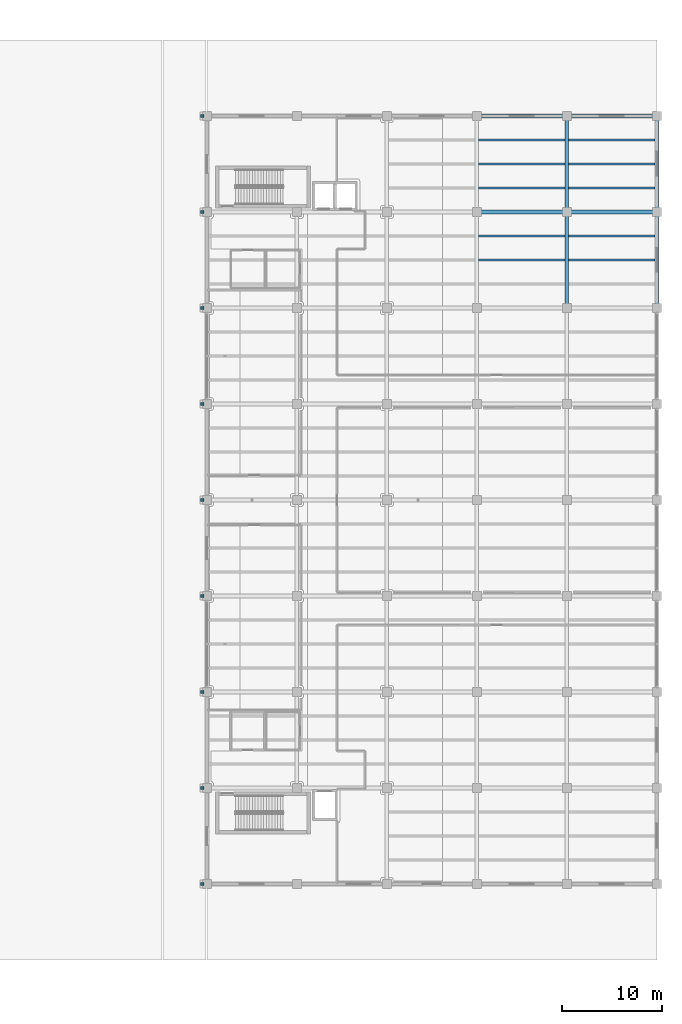
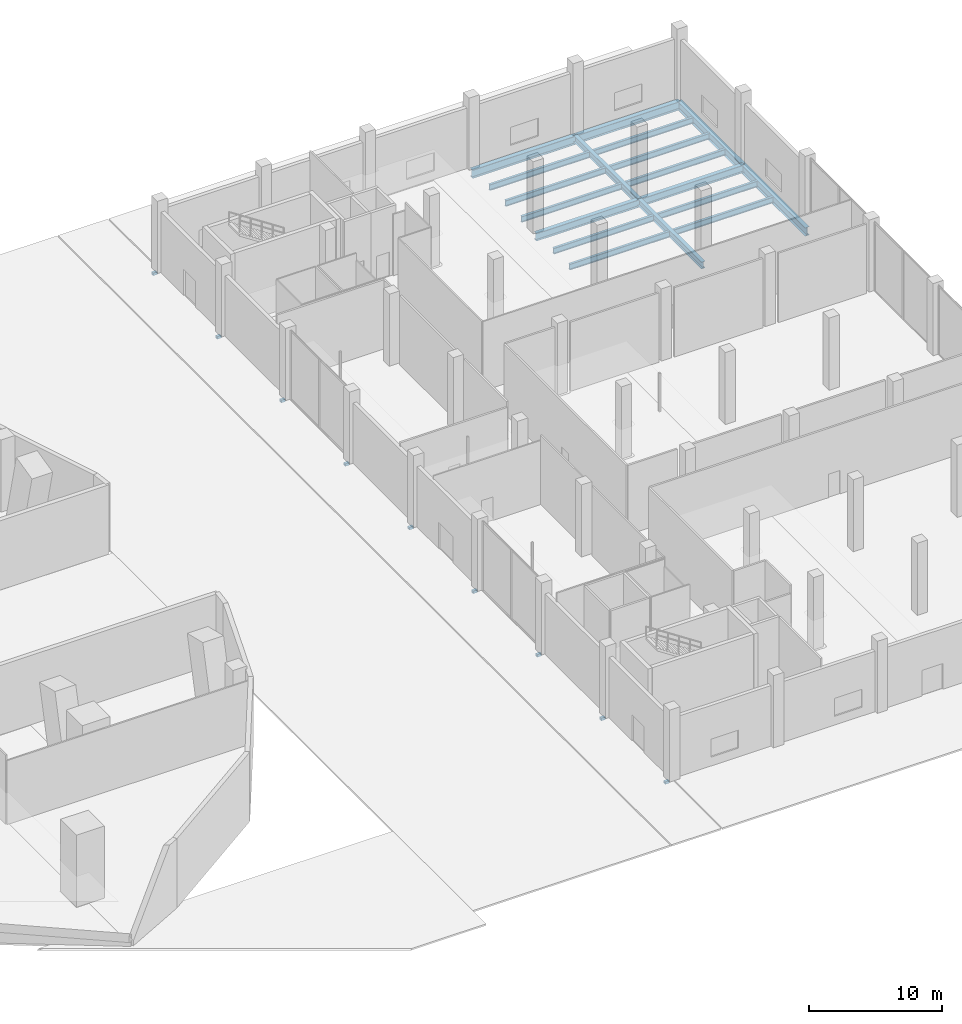
# One storey, part 22 of 45: 18 beams, 9 members.
"""IFC4 building model written with IfcOpenShell, lengths in metres."""

from ifc_helpers import new_model, si_unit, direction, frame, origin, origin_2d, place, context, subcontext, project, spatial, hollow_rectangle, i_section, extrude, material, material_profile, profile_set, type_object, element, save


model = new_model("IFC4")

# Units and contexts
model_context = context("Model", 3, precision=1e-05, world=origin(), true_north=direction((0.0, 1.0)))
body_context = subcontext(model_context, "Body", "Model", "MODEL_VIEW")
ifc_project = project(units=[si_unit("LENGTHUNIT", "METRE"), si_unit("AREAUNIT", "SQUARE_METRE"), si_unit("VOLUMEUNIT", "CUBIC_METRE"), si_unit("PLANEANGLEUNIT", "RADIAN"), si_unit("MASSUNIT", "GRAM", prefix="KILO")], contexts=[model_context])

# Site, building, storey
site_placement = place(None, origin())
site = spatial("IfcSite", under=ifc_project, at=site_placement, CompositionType="ELEMENT")
building_placement = place(site_placement, origin())
building = spatial("IfcBuilding", under=site, at=building_placement, Name="Qorvath Tower", CompositionType="ELEMENT")
storey_placement = place(building_placement, origin())
storey = spatial("IfcBuildingStorey", under=building, at=storey_placement, Name="L00", CompositionType="ELEMENT", Elevation=0.0)

# Beams
ifc_material_1 = material(Name="Steel ASTM A992 Grade 50", Category="steel")
ifc_material_profile_1 = material_profile(ifc_material_1, i_section(OverallWidth=0.381103515625, OverallDepth=0.77294921875, WebThickness=0.0166015625, FlangeThickness=0.027099609375, FilletRadius=0.01904296875, at=origin_2d()), Name="W30x173")
ifc_profile_set_1 = profile_set([ifc_material_profile_1], Name="Steel ASTM A992 Grade 50")
beam_type_1 = type_object("IfcBeamType", Name="BM-FG3", PredefinedType="BEAM", material=ifc_profile_set_1)
for number, where, z_axis, x_axis, name in (
    (1, (59.39990234375, 38.39990234375, -0.6865234375), (1.0, 0.0, 0.0), (0.0, 1.0, 0.0), "Library E-W Girder L00-9-4"),
    (2, (68.39990234375, 38.39990234375, -0.6865234375), (1.0, 0.0, 0.0), (0.0, 1.0, 0.0), "Library E-W Girder L00-9-5"),
):
    element("IfcBeam", number, at=place(storey_placement, frame(where, z_axis=z_axis, x_axis=x_axis)), inside=storey, type_object=beam_type_1, Name=name, PredefinedType="BEAM", context=body_context, shape_type="SweptSolid", body=[
        extrude(i_section(OverallWidth=0.381103515625, OverallDepth=0.77294921875, WebThickness=0.0166015625, FlangeThickness=0.027099609375, FilletRadius=0.01904296875, at=origin_2d()), origin(), (0.0, 0.0, 1.0), 9.0),
    ])
beam_1_placement = place(storey_placement, frame((77.39990234375, 19.199951171875, -0.6865234375), z_axis=(0.0, 1.0, 0.0), x_axis=(-1.0, 0.0, 0.0)))
element("IfcBeam", 3, at=beam_1_placement, inside=storey, type_object=beam_type_1, Name="Library N-S Girder L00-6-7", PredefinedType="BEAM", context=body_context, shape_type="SweptSolid", body=[
    extrude(i_section(OverallWidth=0.381103515625, OverallDepth=0.77294921875, WebThickness=0.0166015625, FlangeThickness=0.027099609375, FilletRadius=0.01904296875, at=origin_2d()), origin(), (0.0, 0.0, 1.0), 9.60009765625),
])
beam_2_placement = place(storey_placement, frame((77.39990234375, 28.800048828125, -0.6865234375), z_axis=(0.0, 1.0, 0.0), x_axis=(-1.0, 0.0, 0.0)))
element("IfcBeam", 4, at=beam_2_placement, inside=storey, type_object=beam_type_1, Name="Library N-S Girder L00-6-8", PredefinedType="BEAM", context=body_context, shape_type="SweptSolid", body=[
    extrude(i_section(OverallWidth=0.381103515625, OverallDepth=0.77294921875, WebThickness=0.0166015625, FlangeThickness=0.027099609375, FilletRadius=0.01904296875, at=origin_2d()), origin(), (0.0, 0.0, 1.0), 9.599853515625),
])
ifc_material_2 = material(Name="Steel ASTM A992 Grade 50", Category="steel")
ifc_material_profile_2 = material_profile(ifc_material_2, i_section(OverallWidth=0.35595703125, OverallDepth=0.696044921875, WebThickness=0.015380859375, FlangeThickness=0.02490234375, FilletRadius=0.01806640625, at=origin_2d()), Name="W27x146")
ifc_profile_set_2 = profile_set([ifc_material_profile_2], Name="Steel ASTM A992 Grade 50")
beam_type_2 = type_object("IfcBeamType", Name="BM-FG4", PredefinedType="BEAM", material=ifc_profile_set_2)
for number, where, z_axis, x_axis, name in (
    (5, (59.39990234375, 28.800048828125, -0.64794921875), (1.0, 0.0, 0.0), (0.0, 1.0, 0.0), "Library E-W Girder L00-8-4"),
    (6, (68.39990234375, 28.800048828125, -0.64794921875), (1.0, 0.0, 0.0), (0.0, 1.0, 0.0), "Library E-W Girder L00-8-5"),
):
    element("IfcBeam", number, at=place(storey_placement, frame(where, z_axis=z_axis, x_axis=x_axis)), inside=storey, type_object=beam_type_2, Name=name, PredefinedType="BEAM", context=body_context, shape_type="SweptSolid", body=[
        extrude(i_section(OverallWidth=0.35595703125, OverallDepth=0.696044921875, WebThickness=0.015380859375, FlangeThickness=0.02490234375, FilletRadius=0.01806640625, at=origin_2d()), origin(), (0.0, 0.0, 1.0), 9.0),
    ])
ifc_material_3 = material(Name="Steel ASTM A992 Grade 50", Category="steel")
ifc_material_profile_3 = material_profile(ifc_material_3, i_section(OverallWidth=0.324951171875, OverallDepth=0.615966796875, WebThickness=0.013916015625, FlangeThickness=0.021484375, FilletRadius=0.01611328125, at=origin_2d()), Name="W24x117")
ifc_profile_set_3 = profile_set([ifc_material_profile_3], Name="Steel ASTM A992 Grade 50")
beam_type_3 = type_object("IfcBeamType", Name="BM-FG5", PredefinedType="BEAM", material=ifc_profile_set_3)
beam_3_placement = place(storey_placement, frame((68.39990234375, 19.199951171875, -0.60791015625), z_axis=(0.0, 1.0, 0.0), x_axis=(-1.0, 0.0, 0.0)))
element("IfcBeam", 7, at=beam_3_placement, inside=storey, type_object=beam_type_3, Name="Library N-S Girder L00-5-7", PredefinedType="BEAM", context=body_context, shape_type="SweptSolid", body=[
    extrude(i_section(OverallWidth=0.324951171875, OverallDepth=0.615966796875, WebThickness=0.013916015625, FlangeThickness=0.021484375, FilletRadius=0.01611328125, at=origin_2d()), origin(), (0.0, 0.0, 1.0), 9.60009765625),
])
beam_4_placement = place(storey_placement, frame((68.39990234375, 28.800048828125, -0.60791015625), z_axis=(0.0, 1.0, 0.0), x_axis=(-1.0, 0.0, 0.0)))
element("IfcBeam", 8, at=beam_4_placement, inside=storey, type_object=beam_type_3, Name="Library N-S Girder L00-5-8", PredefinedType="BEAM", context=body_context, shape_type="SweptSolid", body=[
    extrude(i_section(OverallWidth=0.324951171875, OverallDepth=0.615966796875, WebThickness=0.013916015625, FlangeThickness=0.021484375, FilletRadius=0.01611328125, at=origin_2d()), origin(), (0.0, 0.0, 1.0), 9.599853515625),
])
ifc_material_4 = material(Name="Steel ASTM A992 Grade 50", Category="steel")
ifc_material_profile_4 = material_profile(ifc_material_4, i_section(OverallWidth=0.2119140625, OverallDepth=0.5439453125, WebThickness=0.01318359375, FlangeThickness=0.021240234375, FilletRadius=0.013916015625, at=origin_2d()), Name="W21x83")
ifc_profile_set_4 = profile_set([ifc_material_profile_4], Name="Steel ASTM A992 Grade 50")
beam_type_4 = type_object("IfcBeamType", Name="BM-FJ1", PredefinedType="JOIST", material=ifc_profile_set_4)
beam_5_placement = place(storey_placement, frame((59.560546875, 24.0, -0.572021484375), z_axis=(1.0, 0.0, 0.0), x_axis=(0.0, 1.0, 0.0)))
element("IfcBeam", 9, at=beam_5_placement, inside=storey, type_object=beam_type_4, Name="Library Stack Joist L00-7.2-4", PredefinedType="JOIST", context=body_context, shape_type="SweptSolid", body=[
    extrude(i_section(OverallWidth=0.2119140625, OverallDepth=0.5439453125, WebThickness=0.01318359375, FlangeThickness=0.021240234375, FilletRadius=0.013916015625, at=origin_2d()), origin(), (0.0, 0.0, 1.0), 8.678955078125),
])
beam_6_placement = place(storey_placement, frame((68.560546875, 24.0, -0.572021484375), z_axis=(1.0, 0.0, 0.0), x_axis=(0.0, 1.0, 0.0)))
element("IfcBeam", 10, at=beam_6_placement, inside=storey, type_object=beam_type_4, Name="Library Stack Joist L00-7.2-5", PredefinedType="JOIST", context=body_context, shape_type="SweptSolid", body=[
    extrude(i_section(OverallWidth=0.2119140625, OverallDepth=0.5439453125, WebThickness=0.01318359375, FlangeThickness=0.021240234375, FilletRadius=0.013916015625, at=origin_2d()), origin(), (0.0, 0.0, 1.0), 8.65087890625),
])
beam_7_placement = place(storey_placement, frame((59.560546875, 26.39990234375, -0.572021484375), z_axis=(1.0, 0.0, 0.0), x_axis=(0.0, 1.0, 0.0)))
element("IfcBeam", 11, at=beam_7_placement, inside=storey, type_object=beam_type_4, Name="Library Stack Joist L00-7.3-4", PredefinedType="JOIST", context=body_context, shape_type="SweptSolid", body=[
    extrude(i_section(OverallWidth=0.2119140625, OverallDepth=0.5439453125, WebThickness=0.01318359375, FlangeThickness=0.021240234375, FilletRadius=0.013916015625, at=origin_2d()), origin(), (0.0, 0.0, 1.0), 8.678955078125),
])
beam_8_placement = place(storey_placement, frame((68.560546875, 26.39990234375, -0.572021484375), z_axis=(1.0, 0.0, 0.0), x_axis=(0.0, 1.0, 0.0)))
element("IfcBeam", 12, at=beam_8_placement, inside=storey, type_object=beam_type_4, Name="Library Stack Joist L00-7.3-5", PredefinedType="JOIST", context=body_context, shape_type="SweptSolid", body=[
    extrude(i_section(OverallWidth=0.2119140625, OverallDepth=0.5439453125, WebThickness=0.01318359375, FlangeThickness=0.021240234375, FilletRadius=0.013916015625, at=origin_2d()), origin(), (0.0, 0.0, 1.0), 8.65087890625),
])
beam_9_placement = place(storey_placement, frame((59.560546875, 31.199951171875, -0.572021484375), z_axis=(1.0, 0.0, 0.0), x_axis=(0.0, 1.0, 0.0)))
element("IfcBeam", 13, at=beam_9_placement, inside=storey, type_object=beam_type_4, Name="Library Stack Joist L00-8.1-4", PredefinedType="JOIST", context=body_context, shape_type="SweptSolid", body=[
    extrude(i_section(OverallWidth=0.2119140625, OverallDepth=0.5439453125, WebThickness=0.01318359375, FlangeThickness=0.021240234375, FilletRadius=0.013916015625, at=origin_2d()), origin(), (0.0, 0.0, 1.0), 8.678955078125),
])
beam_10_placement = place(storey_placement, frame((68.560546875, 31.199951171875, -0.572021484375), z_axis=(1.0, 0.0, 0.0), x_axis=(0.0, 1.0, 0.0)))
element("IfcBeam", 14, at=beam_10_placement, inside=storey, type_object=beam_type_4, Name="Library Stack Joist L00-8.1-5", PredefinedType="JOIST", context=body_context, shape_type="SweptSolid", body=[
    extrude(i_section(OverallWidth=0.2119140625, OverallDepth=0.5439453125, WebThickness=0.01318359375, FlangeThickness=0.021240234375, FilletRadius=0.013916015625, at=origin_2d()), origin(), (0.0, 0.0, 1.0), 8.65087890625),
])
beam_11_placement = place(storey_placement, frame((59.560546875, 33.60009765625, -0.572021484375), z_axis=(1.0, 0.0, 0.0), x_axis=(0.0, 1.0, 0.0)))
element("IfcBeam", 15, at=beam_11_placement, inside=storey, type_object=beam_type_4, Name="Library Stack Joist L00-8.2-4", PredefinedType="JOIST", context=body_context, shape_type="SweptSolid", body=[
    extrude(i_section(OverallWidth=0.2119140625, OverallDepth=0.5439453125, WebThickness=0.01318359375, FlangeThickness=0.021240234375, FilletRadius=0.013916015625, at=origin_2d()), origin(), (0.0, 0.0, 1.0), 8.678955078125),
])
beam_12_placement = place(storey_placement, frame((68.560546875, 33.60009765625, -0.572021484375), z_axis=(1.0, 0.0, 0.0), x_axis=(0.0, 1.0, 0.0)))
element("IfcBeam", 16, at=beam_12_placement, inside=storey, type_object=beam_type_4, Name="Library Stack Joist L00-8.2-5", PredefinedType="JOIST", context=body_context, shape_type="SweptSolid", body=[
    extrude(i_section(OverallWidth=0.2119140625, OverallDepth=0.5439453125, WebThickness=0.01318359375, FlangeThickness=0.021240234375, FilletRadius=0.013916015625, at=origin_2d()), origin(), (0.0, 0.0, 1.0), 8.65087890625),
])
beam_13_placement = place(storey_placement, frame((59.560546875, 36.0, -0.572021484375), z_axis=(1.0, 0.0, 0.0), x_axis=(0.0, 1.0, 0.0)))
element("IfcBeam", 17, at=beam_13_placement, inside=storey, type_object=beam_type_4, Name="Library Stack Joist L00-8.3-4", PredefinedType="JOIST", context=body_context, shape_type="SweptSolid", body=[
    extrude(i_section(OverallWidth=0.2119140625, OverallDepth=0.5439453125, WebThickness=0.01318359375, FlangeThickness=0.021240234375, FilletRadius=0.013916015625, at=origin_2d()), origin(), (0.0, 0.0, 1.0), 8.678955078125),
])
beam_14_placement = place(storey_placement, frame((68.560546875, 36.0, -0.572021484375), z_axis=(1.0, 0.0, 0.0), x_axis=(0.0, 1.0, 0.0)))
element("IfcBeam", 18, at=beam_14_placement, inside=storey, type_object=beam_type_4, Name="Library Stack Joist L00-8.3-5", PredefinedType="JOIST", context=body_context, shape_type="SweptSolid", body=[
    extrude(i_section(OverallWidth=0.2119140625, OverallDepth=0.5439453125, WebThickness=0.01318359375, FlangeThickness=0.021240234375, FilletRadius=0.013916015625, at=origin_2d()), origin(), (0.0, 0.0, 1.0), 8.65087890625),
])

# Members
ifc_material_5 = material(Name="Steel ASTM A500 Grade C", Category="steel")
ifc_material_profile_5 = material_profile(ifc_material_5, hollow_rectangle(XDim=0.25390625, YDim=0.25390625, WallThickness=0.0126953125, InnerFilletRadius=0.0126953125, OuterFilletRadius=0.025390625, at=origin_2d()), Name="HSS 254x254x12.7")
ifc_profile_set_5 = profile_set([ifc_material_profile_5], Name="Steel ASTM A500 Grade C")
member_type = type_object("IfcMemberType", Name="MEM-BRG", PredefinedType="USERDEFINED", material=ifc_profile_set_5)
for number, where, z_axis, x_axis, name in (
    (19, (31.780029296875, -38.39990234375, -0.222900390625), (1.0, 0.0, 0.0), (0.0, 1.0, 0.0), "MJ-1 Plaza Corbel PTFE Sliding Bearing 01"),
    (20, (31.780029296875, -28.800048828125, -0.222900390625), (1.0, 0.0, 0.0), (0.0, 1.0, 0.0), "MJ-1 Plaza Corbel PTFE Sliding Bearing 02"),
    (21, (31.780029296875, -19.199951171875, -0.222900390625), (1.0, 0.0, 0.0), (0.0, 1.0, 0.0), "MJ-1 Plaza Corbel PTFE Sliding Bearing 03"),
    (22, (31.780029296875, -9.60009765625, -0.222900390625), (1.0, 0.0, 0.0), (0.0, 1.0, 0.0), "MJ-1 Plaza Corbel PTFE Sliding Bearing 04"),
    (23, (31.780029296875, 0.0, -0.222900390625), (1.0, 0.0, 0.0), (0.0, 1.0, 0.0), "MJ-1 Plaza Corbel PTFE Sliding Bearing 05"),
    (24, (31.780029296875, 9.60009765625, -0.222900390625), (1.0, 0.0, 0.0), (0.0, 1.0, 0.0), "MJ-1 Plaza Corbel PTFE Sliding Bearing 06"),
    (25, (31.780029296875, 19.199951171875, -0.222900390625), (1.0, 0.0, 0.0), (0.0, 1.0, 0.0), "MJ-1 Plaza Corbel PTFE Sliding Bearing 07"),
    (26, (31.780029296875, 28.800048828125, -0.222900390625), (1.0, 0.0, 0.0), (0.0, 1.0, 0.0), "MJ-1 Plaza Corbel PTFE Sliding Bearing 08"),
    (27, (31.780029296875, 38.39990234375, -0.222900390625), (1.0, 0.0, 0.0), (0.0, 1.0, 0.0), "MJ-1 Plaza Corbel PTFE Sliding Bearing 09"),
):
    element("IfcMember", number, at=place(storey_placement, frame(where, z_axis=z_axis, x_axis=x_axis)), inside=storey, type_object=member_type, Name=name, ObjectType="BEARING", PredefinedType="USERDEFINED", context=body_context, shape_type="SweptSolid", body=[
        extrude(hollow_rectangle(XDim=0.25390625, YDim=0.25390625, WallThickness=0.0126953125, InnerFilletRadius=0.0126953125, OuterFilletRadius=0.025390625, at=origin_2d()), origin(), (0.0, 0.0, 1.0), 0.349853515625),
    ])

save(model, "model.ifc")
